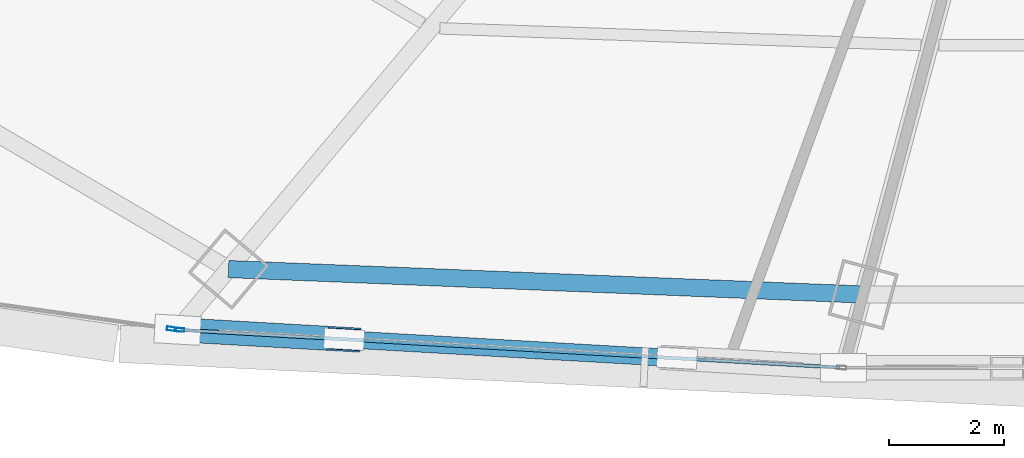
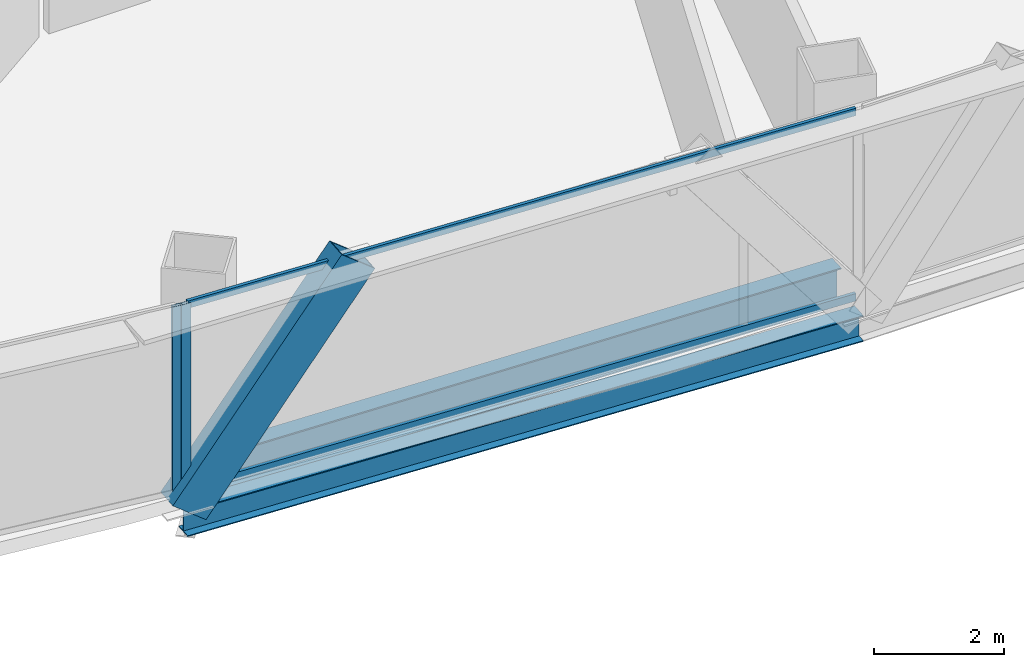
# One storey, part 6 of 41: 5 members, 2 beams, 2 elements without a shape of their own.
"""IFC4 building model written with IfcOpenShell, lengths in metres."""

from ifc_helpers import new_model, si_unit, direction, frame, origin, origin_2d, place, context, subcontext, project, spatial, hollow_rectangle, i_section, extrude, source, transform, mapped, material, layer, layer_set, material_profile, profile_set, type_object, element, aggregate, save


model = new_model("IFC4")

# Units and contexts
model_context = context("Model", 3, precision=1e-05, world=origin(), true_north=direction((0.0, 1.0)))
body_context = subcontext(model_context, "Body", "Model", "MODEL_VIEW")
ifc_project = project(units=[si_unit("LENGTHUNIT", "METRE"), si_unit("AREAUNIT", "SQUARE_METRE"), si_unit("VOLUMEUNIT", "CUBIC_METRE"), si_unit("PLANEANGLEUNIT", "RADIAN"), si_unit("MASSUNIT", "GRAM", prefix="KILO"), si_unit("THERMODYNAMICTEMPERATUREUNIT", "KELVIN"), si_unit("POWERUNIT", "WATT")], contexts=[model_context])

# Site, building, storey
site_placement = place(None, origin())
site = spatial("IfcSite", under=ifc_project, at=site_placement, CompositionType="ELEMENT")
building_placement = place(site_placement, origin())
building = spatial("IfcBuilding", under=site, at=building_placement, Name="Yunzhuo Pagoda Commons", CompositionType="ELEMENT")
storey_placement = place(building_placement, frame((0.0, 0.0, 111.580078125)))
storey = spatial("IfcBuildingStorey", under=building, at=storey_placement, Name="L28", CompositionType="ELEMENT", Elevation=111.580078125)

# Beams
ifc_material_1 = material(Name="Structural steel Q355B", Category="steel")
ifc_material_profile_1 = material_profile(ifc_material_1, i_section(OverallWidth=0.300048828125, OverallDepth=0.699951171875, WebThickness=0.012939453125, FlangeThickness=0.02392578125, at=origin_2d()), Name="Structural steel Q355B")
ifc_profile_set_1 = profile_set([ifc_material_profile_1], Name="Structural steel Q355B")
beam_type_1 = type_object("IfcBeamType", Name="B-RG1 Beam HN 700x300x13x24", PredefinedType="BEAM", material=ifc_profile_set_1)
shared_shape_1 = source(origin(), body_context, "Body", "SweptSolid", [
    extrude(i_section(OverallWidth=0.300048828125, OverallDepth=0.699951171875, WebThickness=0.012939453125, FlangeThickness=0.02392578125, at=origin_2d()), origin(), (0.0, 0.0, 1.0), 11.077392578125),
])
beam_1_placement = place(storey_placement, frame((31.56396484375, 14.1123046875, -0.610107421875), z_axis=(0.999196975427, -0.040067496776, 0.0), x_axis=(0.040067496776, 0.999196975427, 0.0)))
element("IfcBeam", 1, at=beam_1_placement, inside=storey, type_object=beam_type_1, Name="L28 column-ring beam 1", PredefinedType="BEAM", context=body_context, shape_type="MappedRepresentation", body=[
    mapped(shared_shape_1, transform((0.0, 0.0, 0.0), scale=1.0)),
])
ifc_material_profile_2 = material_profile(ifc_material_1, i_section(OverallWidth=0.300048828125, OverallDepth=0.488037109375, WebThickness=0.010986328125, FlangeThickness=0.01806640625, at=origin_2d()), Name="Structural steel Q355B")
ifc_profile_set_2 = profile_set([ifc_material_profile_2], Name="Structural steel Q355B")
beam_type_2 = type_object("IfcBeamType", Name="B-SP1 Beam HM 488x300x11x18", PredefinedType="BEAM", material=ifc_profile_set_2)
shared_shape_2 = source(origin(), body_context, "Body", "SweptSolid", [
    extrude(i_section(OverallWidth=0.300048828125, OverallDepth=0.488037109375, WebThickness=0.010986328125, FlangeThickness=0.01806640625, at=origin_2d()), origin(), (0.0, 0.0, 1.0), 11.6328125),
])
beam_2_placement = place(storey_placement, frame((30.676513671875, 13.054443359375, -0.504150390625), z_axis=(0.998372870978, -0.057022894481, 0.0), x_axis=(0.057022894481, 0.998372870978, 0.0)))
element("IfcBeam", 2, at=beam_2_placement, inside=storey, type_object=beam_type_2, Name="L28 facade edge spandrel beam F1.1", PredefinedType="BEAM", context=body_context, shape_type="MappedRepresentation", body=[
    mapped(shared_shape_2, transform((0.0, 0.0, 0.0), scale=1.0)),
])

# Member
ifc_material_2 = material(Name="Structural steel Q420B", Category="steel")
ifc_material_profile_3 = material_profile(ifc_material_2, hollow_rectangle(XDim=0.419921875, YDim=0.719970703125, WallThickness=0.028076171875, at=origin_2d()), Name="Structural steel Q420B")
ifc_profile_set_3 = profile_set([ifc_material_profile_3], Name="Structural steel Q420B")
member_type_1 = type_object("IfcMemberType", Name="M-DL1 Brace BOX 720x420x28", PredefinedType="BRACE", material=ifc_profile_set_3)
shared_shape_3 = source(origin(), body_context, "Body", "SweptSolid", [
    extrude(hollow_rectangle(XDim=0.419921875, YDim=0.719970703125, WallThickness=0.028076171875, at=origin_2d()), origin(), (0.0, 0.0, 1.0), 4.78515625),
])
member_1_placement = place(storey_placement, frame((30.676513671875, 13.054443359375, -0.260009765625), z_axis=(0.606741572985, -0.034694270907, 0.794141656871), x_axis=(0.057088044104, 0.998369147771, 0.0)))
element("IfcMember", 3, at=member_1_placement, inside=storey, type_object=member_type_1, Name="L28 facade diamond brace F1.1L", PredefinedType="BRACE", context=body_context, shape_type="MappedRepresentation", body=[
    mapped(shared_shape_3, transform((0.0, 0.0, 0.0), scale=1.0)),
])

# Curtain wall, member
ifc_material_3 = material(Name="Anodized aluminium 6063-T6", Category="aluminium")
ifc_layer = layer(ifc_material_3, 0.1650390625)
ifc_layer_set = layer_set([ifc_layer], Name="Anodized aluminium 6063-T6")
curtain_wall_type = type_object("IfcCurtainWallType", Name="CW-LOW Low-Zone Ribbon Curtain Wall", PredefinedType="NOTDEFINED", material=ifc_layer_set)
curtain_wall_1_placement = place(storey_placement, origin())
curtain_wall_1 = element("IfcCurtainWall", 4, at=curtain_wall_1_placement, inside=storey, type_object=curtain_wall_type, Name="L28 curtain wall CW-L28-F1B2", PredefinedType="NOTDEFINED")
ifc_material_profile_4 = material_profile(ifc_material_3, hollow_rectangle(XDim=0.06494140625, YDim=0.1650390625, WallThickness=0.00390625, at=origin_2d()), Name="Anodized aluminium 6063-T6")
ifc_profile_set_4 = profile_set([ifc_material_profile_4], Name="Anodized aluminium 6063-T6")
member_type_2 = type_object("IfcMemberType", Name="CW-LOW-M Mullion RHS 165x65x4", PredefinedType="MULLION", material=ifc_profile_set_4)
shared_shape_4 = source(origin(), body_context, "Body", "SweptSolid", [
    extrude(hollow_rectangle(XDim=0.06494140625, YDim=0.1650390625, WallThickness=0.00390625, at=origin_2d()), origin(), (0.0, 0.0, 1.0), 3.5400390625),
])
member_2_placement = place(storey_placement, frame((30.708740234375, 13.052490234375, 0.0), z_axis=(0.0, 0.0, 1.0), x_axis=(0.057027757736, 0.998372593197, 0.0)))
member_2 = element("IfcMember", 5, at=member_2_placement, type_object=member_type_2, Name="CW mullion 1", PredefinedType="MULLION", context=body_context, shape_type="MappedRepresentation", body=[
    mapped(shared_shape_4, transform((0.0, 0.0, 0.0), scale=1.0)),
])

curtain_wall_2_placement = place(storey_placement, origin())
curtain_wall_2 = element("IfcCurtainWall", 6, at=curtain_wall_2_placement, inside=storey, type_object=curtain_wall_type, Name="L28 curtain wall CW-L28-F1B1", PredefinedType="NOTDEFINED")
member_3_placement = place(storey_placement, frame((30.56982421875, 13.069580078125, 0.0), z_axis=(0.0, 0.0, 1.0), x_axis=(0.140408035721, 0.990093724606, 0.0)))
member_3 = element("IfcMember", 7, at=member_3_placement, type_object=member_type_2, Name="CW mullion 2", PredefinedType="MULLION", context=body_context, shape_type="MappedRepresentation", body=[
    mapped(shared_shape_4, transform((0.0, 0.0, 0.0), scale=1.0)),
])
aggregate(curtain_wall_2, [member_3])

# Member
ifc_material_profile_5 = material_profile(ifc_material_3, hollow_rectangle(XDim=0.06005859375, YDim=0.139892578125, WallThickness=0.00341796875, at=origin_2d()), Name="Anodized aluminium 6063-T6")
ifc_profile_set_5 = profile_set([ifc_material_profile_5], Name="Anodized aluminium 6063-T6")
member_type_3 = type_object("IfcMemberType", Name="CW-LOW-T Transom RHS 140x60x3.5", PredefinedType="USERDEFINED", material=ifc_profile_set_5)
shared_shape_5 = source(origin(), body_context, "Body", "SweptSolid", [
    extrude(hollow_rectangle(XDim=0.06005859375, YDim=0.139892578125, WallThickness=0.00341796875, at=origin_2d()), origin(), (0.0, 0.0, 1.0), 11.5029296875),
])
member_4_placement = place(storey_placement, frame((30.7412109375, 13.05078125, 0.030029296875), z_axis=(0.998372474019, -0.057029844123, 0.0), x_axis=(0.057029844123, 0.998372474019, 0.0)))
member_4 = element("IfcMember", 8, at=member_4_placement, type_object=member_type_3, Name="CW transom 1.1", ObjectType="TRANSOM", PredefinedType="USERDEFINED", context=body_context, shape_type="MappedRepresentation", body=[
    mapped(shared_shape_5, transform((0.0, 0.0, 0.0), scale=1.0)),
])

member_5_placement = place(storey_placement, frame((30.7412109375, 13.05078125, 3.510009765625), z_axis=(0.998372474019, -0.057029844123, 0.0), x_axis=(0.057029844123, 0.998372474019, 0.0)))
member_5 = element("IfcMember", 9, at=member_5_placement, type_object=member_type_3, Name="CW transom 1.2", ObjectType="TRANSOM", PredefinedType="USERDEFINED", context=body_context, shape_type="MappedRepresentation", body=[
    mapped(shared_shape_5, transform((0.0, 0.0, 0.0), scale=1.0)),
])

aggregate(curtain_wall_1, [member_2, member_4, member_5])

save(model, "model.ifc")
